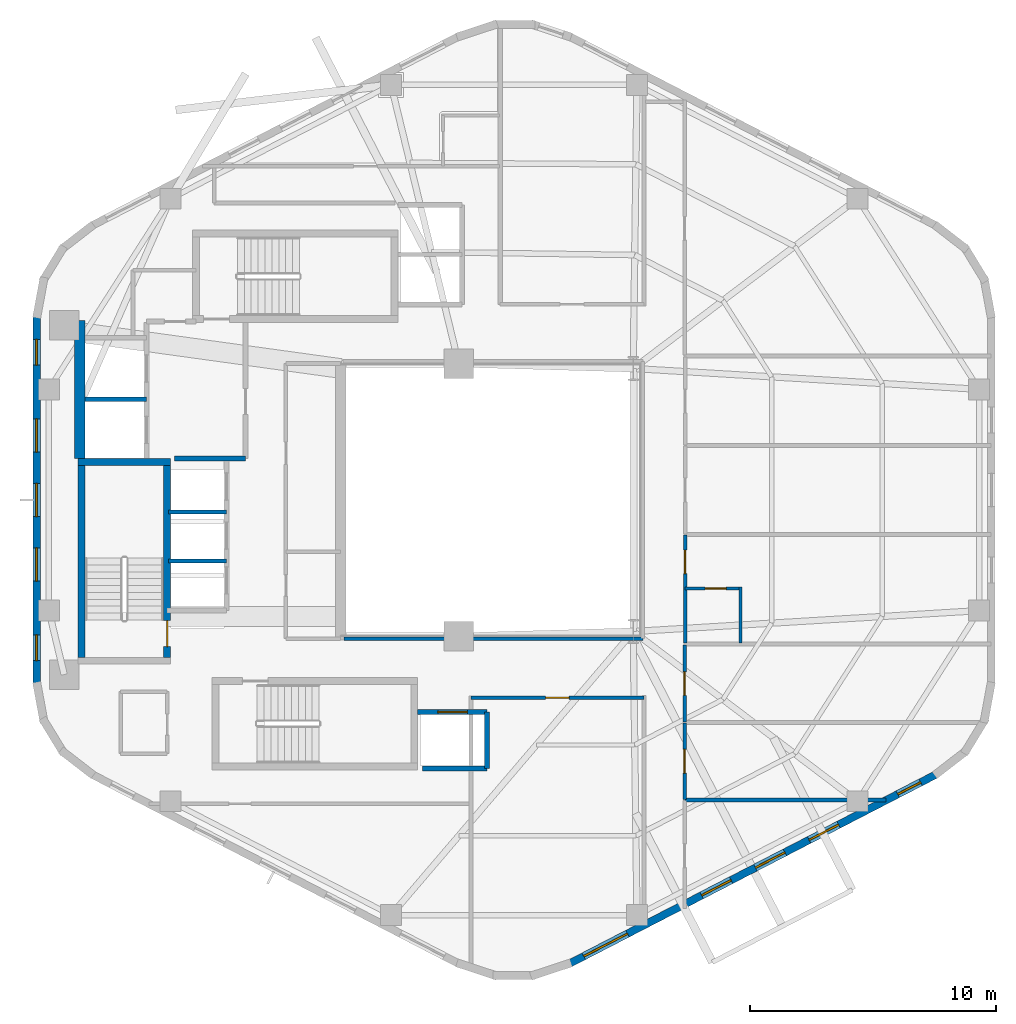
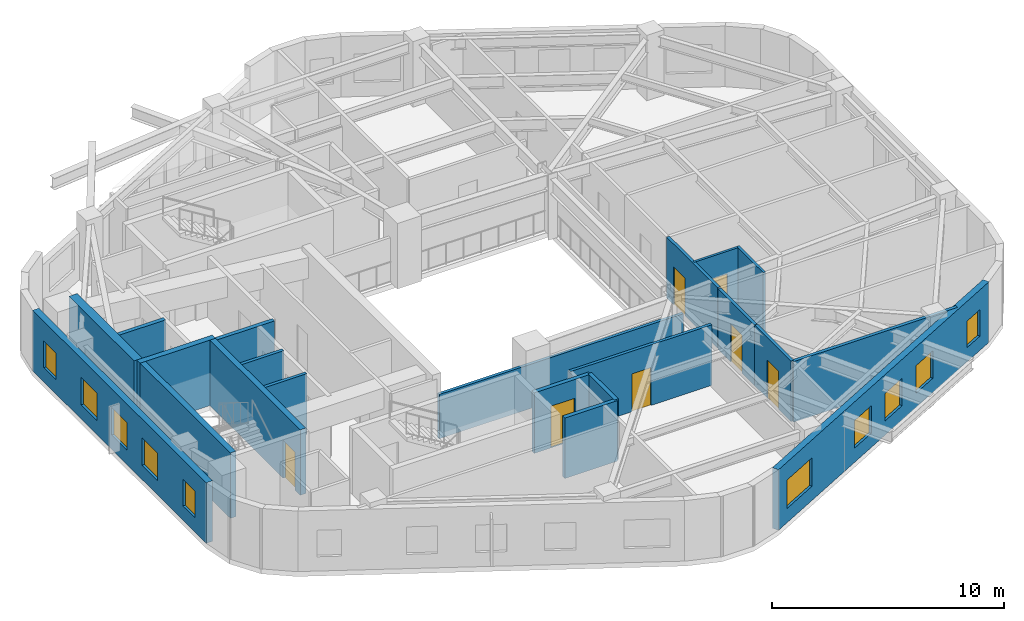
# One storey, part 3 of 7: 21 walls, 10 windows, 7 doors, 17 openings.
"""IFC4 building model written with IfcOpenShell, lengths in metres."""

from ifc_helpers import new_model, si_unit, direction, frame, frame_2d, origin, place, context, subcontext, project, spatial, rectangle, extrude, material, layer, layer_set, type_object, element, fill, save


model = new_model("IFC4")

# Units and contexts
model_context = context("Model", 3, precision=1e-05, world=origin(), true_north=direction((0.0, 1.0)))
body_context = subcontext(model_context, "Body", "Model", "MODEL_VIEW")
ifc_project = project(units=[si_unit("LENGTHUNIT", "METRE"), si_unit("AREAUNIT", "SQUARE_METRE"), si_unit("VOLUMEUNIT", "CUBIC_METRE"), si_unit("PLANEANGLEUNIT", "RADIAN"), si_unit("MASSUNIT", "GRAM", prefix="KILO"), si_unit("THERMODYNAMICTEMPERATUREUNIT", "KELVIN"), si_unit("POWERUNIT", "WATT")], contexts=[model_context])

# Site, building, storey
site_placement = place(None, origin())
site = spatial("IfcSite", under=ifc_project, at=site_placement, CompositionType="ELEMENT")
building_placement = place(site_placement, origin())
building = spatial("IfcBuilding", under=site, at=building_placement, Name="Skarre Station Tower", CompositionType="ELEMENT")
storey_placement = place(building_placement, frame((0.0, 0.0, 199.89990234375)))
storey = spatial("IfcBuildingStorey", under=building, at=storey_placement, Name="L54", CompositionType="ELEMENT", Elevation=199.89990234375)

# Wall
ifc_material_1 = material(Name="Acoustic Steel-Stud Gypsum Partition", Category="steel")
ifc_layer_1 = layer(ifc_material_1, 0.14990234375, Name="Acoustic Steel-Stud Gypsum Partition")
ifc_layer_set_1 = layer_set([ifc_layer_1], Name="Acoustic Steel-Stud Gypsum Partition")
wall_type_1 = type_object("IfcWallType", Name="Fire-Rated Corridor Acoustic Partition 150", PredefinedType="PARTITIONING", material=ifc_layer_set_1)
wall_1_placement = place(storey_placement, frame((27.675048828125, 18.360107421875, 0.0), z_axis=(0.0, 0.0, 1.0), x_axis=(1.0, 0.0, 0.0)))
element("IfcWall", 1, at=wall_1_placement, inside=storey, type_object=wall_type_1, Name="L54 Interior Partition WL-PT-L54-ATRW-S", PredefinedType="PARTITIONING", context=body_context, shape_type="SweptSolid", body=[
    extrude(rectangle(XDim=12.1650390625, YDim=0.14990234375, at=frame_2d((6.08251953125, 0.0))), origin(), (0.0, 0.0, 1.0), 2.3310546875),
])

# Wall, opening, door
wall_2_placement = place(storey_placement, frame((41.56005859375, 18.179931640625, 0.0), z_axis=(0.0, 0.0, 1.0), x_axis=(0.0, 1.0, 0.0)))
wall_2 = element("IfcWall", 2, at=wall_2_placement, inside=storey, type_object=wall_type_1, Name="L54 Interior Partition WL-PT-L54-EW1-CW", PredefinedType="PARTITIONING", context=body_context, shape_type="SweptSolid", body=[
    extrude(rectangle(XDim=4.405029296875, YDim=0.14990234375, at=frame_2d((2.20263671875, 0.0))), origin(), (0.0, 0.0, 1.0), 3.190185546875),
])
opening_1_placement = place(wall_2_placement, frame((2.822998046875, 0.0, 0.0)))
opening_1 = element("IfcOpeningElement", 3, at=opening_1_placement, cuts=wall_2, Name="Opening DR-FD60", PredefinedType="OPENING", context=body_context, shape_type="SweptSolid", body=[
    extrude(rectangle(XDim=0.9599609375, YDim=2.0, at=frame_2d((0.47998046875, 1.0))), frame((0.0, 0.0849609375, 0.0), z_axis=(0.0, -1.0, 0.0), x_axis=(1.0, 0.0, 0.0)), (0.0, 0.0, 1.0), 0.169921875),
])
ifc_material_2 = material(Name="Nordic White-Oak Veneer Solid-Core Fire Leaf", Category="wood")
door_type_1 = type_object("IfcDoorType", Name="Corridor Suite Entry Fire Door FD60 960x2150", OperationType="SINGLE_SWING_LEFT", PredefinedType="DOOR", material=ifc_material_2)
door_1_placement = place(opening_1_placement, origin())
door_1 = element("IfcDoor", 4, at=door_1_placement, inside=storey, type_object=door_type_1, Name="L54 EW1 Entry Door", OperationType="SINGLE_SWING_LEFT", OverallHeight=2.0, OverallWidth=0.9599609375, PredefinedType="DOOR", context=body_context, shape_type="SweptSolid", body=[
    extrude(rectangle(XDim=0.9599609375, YDim=2.0, at=frame_2d((0.47998046875, 1.0))), frame((0.0, 0.02490234375, 0.0), z_axis=(0.0, -1.0, 0.0), x_axis=(1.0, 0.0, 0.0)), (0.0, 0.0, 1.0), 0.050048828125),
])
fill(opening_1, door_1)

wall_3_placement = place(storey_placement, frame((32.85009765625, 15.9599609375, 0.0), z_axis=(0.0, 0.0, 1.0), x_axis=(1.0, 0.0, 0.0)))
wall_3 = element("IfcWall", 5, at=wall_3_placement, inside=storey, type_object=wall_type_1, Name="L54 Interior Partition WL-PT-L54-SWC1-CW", PredefinedType="PARTITIONING", context=body_context, shape_type="SweptSolid", body=[
    extrude(rectangle(XDim=7.02978515625, YDim=0.14990234375, at=frame_2d((3.514892578125, 0.0))), origin(), (0.0, 0.0, 1.0), 3.190185546875),
])
opening_2_placement = place(wall_3_placement, frame((3.034912109375, 0.0, 0.0)))
opening_2 = element("IfcOpeningElement", 6, at=opening_2_placement, cuts=wall_3, Name="Opening DR-FD60", PredefinedType="OPENING", context=body_context, shape_type="SweptSolid", body=[
    extrude(rectangle(XDim=0.9599609375, YDim=2.0, at=frame_2d((0.47998046875, 1.0))), frame((0.0, 0.0849609375, 0.0), z_axis=(0.0, -1.0, 0.0), x_axis=(1.0, 0.0, 0.0)), (0.0, 0.0, 1.0), 0.169921875),
])
door_2_placement = place(opening_2_placement, origin())
door_2 = element("IfcDoor", 7, at=door_2_placement, inside=storey, type_object=door_type_1, Name="L54 SWC1 Entry Door", OperationType="SINGLE_SWING_LEFT", OverallHeight=2.0, OverallWidth=0.9599609375, PredefinedType="DOOR", context=body_context, shape_type="SweptSolid", body=[
    extrude(rectangle(XDim=0.9599609375, YDim=2.0, at=frame_2d((0.47998046875, 1.0))), frame((0.0, 0.02490234375, 0.0), z_axis=(0.0, -1.0, 0.0), x_axis=(1.0, 0.0, 0.0)), (0.0, 0.0, 1.0), 0.050048828125),
])
fill(opening_2, door_2)

wall_4_placement = place(storey_placement, frame((41.5400390625, 11.81201171875, 0.0), z_axis=(0.0, 0.0, 1.0), x_axis=(0.0, 1.0, 0.0)))
wall_4 = element("IfcWall", 8, at=wall_4_placement, inside=storey, type_object=wall_type_1, Name="L54 Interior Partition WL-PT-L54-SW2-CW", PredefinedType="PARTITIONING", context=body_context, shape_type="SweptSolid", body=[
    extrude(rectangle(XDim=3.119873046875, YDim=0.14990234375, at=frame_2d((1.56005859375, 0.0))), origin(), (0.0, 0.0, 1.0), 3.190185546875),
])
opening_3_placement = place(wall_4_placement, frame((1.080078125, 0.0, 0.0)))
opening_3 = element("IfcOpeningElement", 9, at=opening_3_placement, cuts=wall_4, Name="Opening DR-FD60", PredefinedType="OPENING", context=body_context, shape_type="SweptSolid", body=[
    extrude(rectangle(XDim=0.9599609375, YDim=2.0, at=frame_2d((0.47998046875, 1.0))), frame((0.0, 0.0849609375, 0.0), z_axis=(0.0, -1.0, 0.0), x_axis=(1.0, 0.0, 0.0)), (0.0, 0.0, 1.0), 0.169921875),
])
door_3_placement = place(opening_3_placement, origin())
door_3 = element("IfcDoor", 10, at=door_3_placement, inside=storey, type_object=door_type_1, Name="L54 SW2 Entry Door", OperationType="SINGLE_SWING_LEFT", OverallHeight=2.0, OverallWidth=0.9599609375, PredefinedType="DOOR", context=body_context, shape_type="SweptSolid", body=[
    extrude(rectangle(XDim=0.9599609375, YDim=2.0, at=frame_2d((0.47998046875, 1.0))), frame((0.0, 0.02490234375, 0.0), z_axis=(0.0, -1.0, 0.0), x_axis=(1.0, 0.0, 0.0)), (0.0, 0.0, 1.0), 0.050048828125),
])
fill(opening_3, door_3)

wall_5_placement = place(storey_placement, frame((41.5400390625, 14.964111328125, 0.0), z_axis=(0.0, 0.0, 1.0), x_axis=(0.0, 1.0, 0.0)))
wall_5 = element("IfcWall", 11, at=wall_5_placement, inside=storey, type_object=wall_type_1, Name="L54 Interior Partition WL-PT-L54-SW3-CW", PredefinedType="PARTITIONING", context=body_context, shape_type="SweptSolid", body=[
    extrude(rectangle(XDim=3.135986328125, YDim=0.14990234375, at=frame_2d((1.56787109375, 0.0))), origin(), (0.0, 0.0, 1.0), 3.190185546875),
])
opening_4_placement = place(wall_5_placement, frame((1.087890625, 0.0, 0.0)))
opening_4 = element("IfcOpeningElement", 12, at=opening_4_placement, cuts=wall_5, Name="Opening DR-FD60", PredefinedType="OPENING", context=body_context, shape_type="SweptSolid", body=[
    extrude(rectangle(XDim=0.9599609375, YDim=2.0, at=frame_2d((0.47998046875, 1.0))), frame((0.0, 0.0849609375, 0.0), z_axis=(0.0, -1.0, 0.0), x_axis=(1.0, 0.0, 0.0)), (0.0, 0.0, 1.0), 0.169921875),
])
door_4_placement = place(opening_4_placement, origin())
door_4 = element("IfcDoor", 13, at=door_4_placement, inside=storey, type_object=door_type_1, Name="L54 SW3 Entry Door", OperationType="SINGLE_SWING_LEFT", OverallHeight=2.0, OverallWidth=0.9599609375, PredefinedType="DOOR", context=body_context, shape_type="SweptSolid", body=[
    extrude(rectangle(XDim=0.9599609375, YDim=2.0, at=frame_2d((0.47998046875, 1.0))), frame((0.0, 0.02490234375, 0.0), z_axis=(0.0, -1.0, 0.0), x_axis=(1.0, 0.0, 0.0)), (0.0, 0.0, 1.0), 0.050048828125),
])
fill(opening_4, door_4)

# Wall
ifc_material_3 = material(Name="Insulated Timber-Stud Gypsum Partition", Category="wood")
ifc_layer_2 = layer(ifc_material_3, 0.1201171875, Name="Insulated Timber-Stud Gypsum Partition")
ifc_layer_set_2 = layer_set([ifc_layer_2], Name="Insulated Timber-Stud Gypsum Partition")
wall_type_2 = type_object("IfcWallType", Name="Internal Suite Acoustic Partition 120", PredefinedType="PARTITIONING", material=ifc_layer_set_2)
wall_6_placement = place(storey_placement, frame((43.820068359375, 18.179931640625, 0.0), z_axis=(0.0, 0.0, 1.0), x_axis=(0.0, 1.0, 0.0)))
element("IfcWall", 14, at=wall_6_placement, inside=storey, type_object=wall_type_2, Name="L54 Interior Partition WL-PT-L54-EW1-EW2", PredefinedType="PARTITIONING", context=body_context, shape_type="SweptSolid", body=[
    extrude(rectangle(XDim=2.280029296875, YDim=0.1201171875, at=frame_2d((1.14013671875, 0.0))), origin(), (0.0, 0.0, 1.0), 3.190185546875),
])

# Wall, opening, door
wall_7_placement = place(storey_placement, frame((43.8798828125, 20.39990234375, 0.0), z_axis=(0.0, 0.0, 1.0), x_axis=(-1.0, 0.0, 0.0)))
wall_7 = element("IfcWall", 15, at=wall_7_placement, inside=storey, type_object=wall_type_2, Name="L54 Interior Partition WL-PT-L54-EW1-EW3", PredefinedType="PARTITIONING", context=body_context, shape_type="SweptSolid", body=[
    extrude(rectangle(XDim=2.31982421875, YDim=0.1201171875, at=frame_2d((1.159912109375, 0.0))), origin(), (0.0, 0.0, 1.0), 3.190185546875),
])
opening_5_placement = place(wall_7_placement, frame((0.64990234375, 0.0, 0.0)))
opening_5 = element("IfcOpeningElement", 16, at=opening_5_placement, cuts=wall_7, Name="Opening DR-INT86", PredefinedType="OPENING", context=body_context, shape_type="SweptSolid", body=[
    extrude(rectangle(XDim=0.860107421875, YDim=2.0, at=frame_2d((0.43017578125, 1.0))), frame((0.0, 0.070068359375, 0.0), z_axis=(0.0, -1.0, 0.0), x_axis=(1.0, 0.0, 0.0)), (0.0, 0.0, 1.0), 0.14013671875),
])
ifc_material_4 = material(Name="Nordic Birch Acoustic Solid-Core Timber Leaf", Category="wood")
door_type_2 = type_object("IfcDoorType", Name="Internal En-Suite & Bedroom Door 860x2100", OperationType="SINGLE_SWING_LEFT", PredefinedType="DOOR", material=ifc_material_4)
door_5_placement = place(opening_5_placement, origin())
door_5 = element("IfcDoor", 17, at=door_5_placement, inside=storey, type_object=door_type_2, Name="L54 EW1 En-suite Door", OperationType="SINGLE_SWING_RIGHT", OverallHeight=2.0, OverallWidth=0.860107421875, PredefinedType="DOOR", context=body_context, shape_type="SweptSolid", body=[
    extrude(rectangle(XDim=0.860107421875, YDim=2.0, at=frame_2d((0.43017578125, 1.0))), frame((0.0, 0.02490234375, 0.0), z_axis=(0.0, -1.0, 0.0), x_axis=(1.0, 0.0, 0.0)), (0.0, 0.0, 1.0), 0.050048828125),
])
fill(opening_5, door_5)

# Wall, openings, windows
ifc_material_5 = material(Name="Precast concrete C45/55", Category="concrete")
ifc_layer_3 = layer(ifc_material_5, 0.31005859375, Name="Precast concrete C45/55")
ifc_layer_set_3 = layer_set([ifc_layer_3], Name="Precast concrete C45/55")
wall_type_3 = type_object("IfcWallType", Name="Nordic Upper-Zone Precast Facet Wall 310", PredefinedType="STANDARD", material=ifc_layer_set_3)
wall_8_placement = place(storey_placement, frame((15.18310546875, 16.498046875, 0.0), z_axis=(0.0, 0.0, 1.0), x_axis=(0.0, 1.0, 0.0)))
wall_8 = element("IfcWall", 18, at=wall_8_placement, inside=storey, type_object=wall_type_3, Name="L54 Facet 2 Nordic Precast Masonry Wall", PredefinedType="STANDARD", context=body_context, shape_type="SweptSolid", body=[
    extrude(rectangle(XDim=15.00390625, YDim=0.31005859375, at=frame_2d((7.501953125, 0.0))), origin(), (0.0, 0.0, 1.0), 3.190185546875),
])
opening_6_placement = place(wall_8_placement, frame((0.968017578125, 0.0, 0.75)))
opening_6 = element("IfcOpeningElement", 19, at=opening_6_placement, cuts=wall_8, Name="Opening WN-SLT", PredefinedType="OPENING", context=body_context, shape_type="SweptSolid", body=[
    extrude(rectangle(XDim=1.050048828125, YDim=1.39990234375, at=frame_2d((0.52490234375, 0.699951171875))), frame((0.0, 0.1650390625, 0.0), z_axis=(0.0, -1.0, 0.0), x_axis=(1.0, 0.0, 0.0)), (0.0, 0.0, 1.0), 0.330078125),
])
opening_7_placement = place(wall_8_placement, frame((4.202880859375, 0.0, 0.75)))
opening_7 = element("IfcOpeningElement", 20, at=opening_7_placement, cuts=wall_8, Name="Opening WN-Z3B", PredefinedType="OPENING", context=body_context, shape_type="SweptSolid", body=[
    extrude(rectangle(XDim=1.35009765625, YDim=1.449951171875, at=frame_2d((0.675048828125, 0.72509765625))), frame((0.0, 0.1650390625, 0.0), z_axis=(0.0, -1.0, 0.0), x_axis=(1.0, 0.0, 0.0)), (0.0, 0.0, 1.0), 0.330078125),
])
opening_8_placement = place(wall_8_placement, frame((6.826904296875, 0.0, 0.75)))
opening_8 = element("IfcOpeningElement", 21, at=opening_8_placement, cuts=wall_8, Name="Opening WN-Z3B", PredefinedType="OPENING", context=body_context, shape_type="SweptSolid", body=[
    extrude(rectangle(XDim=1.35009765625, YDim=1.449951171875, at=frame_2d((0.675048828125, 0.72509765625))), frame((0.0, 0.1650390625, 0.0), z_axis=(0.0, -1.0, 0.0), x_axis=(1.0, 0.0, 0.0)), (0.0, 0.0, 1.0), 0.330078125),
])
opening_9_placement = place(wall_8_placement, frame((9.450927734375, 0.0, 0.75)))
opening_9 = element("IfcOpeningElement", 22, at=opening_9_placement, cuts=wall_8, Name="Opening WN-Z3B", PredefinedType="OPENING", context=body_context, shape_type="SweptSolid", body=[
    extrude(rectangle(XDim=1.35009765625, YDim=1.449951171875, at=frame_2d((0.675048828125, 0.72509765625))), frame((0.0, 0.1650390625, 0.0), z_axis=(0.0, -1.0, 0.0), x_axis=(1.0, 0.0, 0.0)), (0.0, 0.0, 1.0), 0.330078125),
])
opening_10_placement = place(wall_8_placement, frame((12.986083984375, 0.0, 0.75)))
opening_10 = element("IfcOpeningElement", 23, at=opening_10_placement, cuts=wall_8, Name="Opening WN-SLT", PredefinedType="OPENING", context=body_context, shape_type="SweptSolid", body=[
    extrude(rectangle(XDim=1.050048828125, YDim=1.39990234375, at=frame_2d((0.52490234375, 0.699951171875))), frame((0.0, 0.1650390625, 0.0), z_axis=(0.0, -1.0, 0.0), x_axis=(1.0, 0.0, 0.0)), (0.0, 0.0, 1.0), 0.330078125),
])
ifc_material_6 = material(Name="Low-Iron Triple Glazing with Bronze Anodized Frame", Category="glass")
window_type_1 = type_object("IfcWindowType", Name="Nordic Corner Slot Window 1050x1400", PartitioningType="SINGLE_PANEL", PredefinedType="WINDOW", material=ifc_material_6)
window_1_placement = place(opening_6_placement, origin())
window_1 = element("IfcWindow", 24, at=window_1_placement, inside=storey, type_object=window_type_1, Name="L54 Facade Window WL-FAC-L54-F2-1", OverallHeight=1.39990234375, OverallWidth=1.050048828125, PartitioningType="SINGLE_PANEL", PredefinedType="WINDOW", context=body_context, shape_type="SweptSolid", body=[
    extrude(rectangle(XDim=1.050048828125, YDim=1.39990234375, at=frame_2d((0.52490234375, 0.699951171875))), frame((0.0, 0.030029296875, 0.0), z_axis=(0.0, -1.0, 0.0), x_axis=(1.0, 0.0, 0.0)), (0.0, 0.0, 1.0), 0.06005859375),
])
fill(opening_6, window_1)
window_2_placement = place(opening_10_placement, origin())
window_2 = element("IfcWindow", 25, at=window_2_placement, inside=storey, type_object=window_type_1, Name="L54 Facade Window WL-FAC-L54-F2-5", OverallHeight=1.39990234375, OverallWidth=1.050048828125, PartitioningType="SINGLE_PANEL", PredefinedType="WINDOW", context=body_context, shape_type="SweptSolid", body=[
    extrude(rectangle(XDim=1.050048828125, YDim=1.39990234375, at=frame_2d((0.52490234375, 0.699951171875))), frame((0.0, 0.030029296875, 0.0), z_axis=(0.0, -1.0, 0.0), x_axis=(1.0, 0.0, 0.0)), (0.0, 0.0, 1.0), 0.06005859375),
])
fill(opening_10, window_2)
window_type_2 = type_object("IfcWindowType", Name="Nordic Hospitality Narrow Window 1350x1450", PartitioningType="SINGLE_PANEL", PredefinedType="WINDOW", material=ifc_material_6)
window_3_placement = place(opening_7_placement, origin())
window_3 = element("IfcWindow", 26, at=window_3_placement, inside=storey, type_object=window_type_2, Name="L54 Facade Window WL-FAC-L54-F2-2", OverallHeight=1.449951171875, OverallWidth=1.35009765625, PartitioningType="SINGLE_PANEL", PredefinedType="WINDOW", context=body_context, shape_type="SweptSolid", body=[
    extrude(rectangle(XDim=1.35009765625, YDim=1.449951171875, at=frame_2d((0.675048828125, 0.72509765625))), frame((0.0, 0.030029296875, 0.0), z_axis=(0.0, -1.0, 0.0), x_axis=(1.0, 0.0, 0.0)), (0.0, 0.0, 1.0), 0.06005859375),
])
fill(opening_7, window_3)
window_4_placement = place(opening_8_placement, origin())
window_4 = element("IfcWindow", 27, at=window_4_placement, inside=storey, type_object=window_type_2, Name="L54 Facade Window WL-FAC-L54-F2-3", OverallHeight=1.449951171875, OverallWidth=1.35009765625, PartitioningType="SINGLE_PANEL", PredefinedType="WINDOW", context=body_context, shape_type="SweptSolid", body=[
    extrude(rectangle(XDim=1.35009765625, YDim=1.449951171875, at=frame_2d((0.675048828125, 0.72509765625))), frame((0.0, 0.030029296875, 0.0), z_axis=(0.0, -1.0, 0.0), x_axis=(1.0, 0.0, 0.0)), (0.0, 0.0, 1.0), 0.06005859375),
])
fill(opening_8, window_4)
window_5_placement = place(opening_9_placement, origin())
window_5 = element("IfcWindow", 28, at=window_5_placement, inside=storey, type_object=window_type_2, Name="L54 Facade Window WL-FAC-L54-F2-4", OverallHeight=1.449951171875, OverallWidth=1.35009765625, PartitioningType="SINGLE_PANEL", PredefinedType="WINDOW", context=body_context, shape_type="SweptSolid", body=[
    extrude(rectangle(XDim=1.35009765625, YDim=1.449951171875, at=frame_2d((0.675048828125, 0.72509765625))), frame((0.0, 0.030029296875, 0.0), z_axis=(0.0, -1.0, 0.0), x_axis=(1.0, 0.0, 0.0)), (0.0, 0.0, 1.0), 0.06005859375),
])
fill(opening_9, window_5)

wall_9_placement = place(storey_placement, frame((51.7919921875, 12.846923828125, 0.0), z_axis=(0.0, 0.0, 1.0), x_axis=(-0.888626188278, -0.458632202867, 0.0)))
wall_9 = element("IfcWall", 29, at=wall_9_placement, inside=storey, type_object=wall_type_3, Name="L54 Facet 4 Nordic Precast Masonry Wall", PredefinedType="STANDARD", context=body_context, shape_type="SweptSolid", body=[
    extrude(rectangle(XDim=16.828369140625, YDim=0.31005859375, at=frame_2d((8.4140625, 0.0))), origin(), (0.0, 0.0, 1.0), 3.190185546875),
])
opening_11_placement = place(wall_9_placement, frame((0.72900390625, 0.0, 0.75)))
opening_11 = element("IfcOpeningElement", 30, at=opening_11_placement, cuts=wall_9, Name="Opening WN-SLT", PredefinedType="OPENING", context=body_context, shape_type="SweptSolid", body=[
    extrude(rectangle(XDim=1.050048828125, YDim=1.39990234375, at=frame_2d((0.52490234375, 0.699951171875))), frame((0.0, 0.1650390625, 0.0), z_axis=(0.0, -1.0, 0.0), x_axis=(1.0, 0.0, 0.0)), (0.0, 0.0, 1.0), 0.330078125),
])
opening_12_placement = place(wall_9_placement, frame((4.486083984375, 0.0, 0.75)))
opening_12 = element("IfcOpeningElement", 31, at=opening_12_placement, cuts=wall_9, Name="Opening WN-Z3B", PredefinedType="OPENING", context=body_context, shape_type="SweptSolid", body=[
    extrude(rectangle(XDim=1.35009765625, YDim=1.449951171875, at=frame_2d((0.675048828125, 0.72509765625))), frame((0.0, 0.1650390625, 0.0), z_axis=(0.0, -1.0, 0.0), x_axis=(1.0, 0.0, 0.0)), (0.0, 0.0, 1.0), 0.330078125),
])
opening_13_placement = place(wall_9_placement, frame((6.946044921875, 0.0, 0.75)))
opening_13 = element("IfcOpeningElement", 32, at=opening_13_placement, cuts=wall_9, Name="Opening WN-Z3B", PredefinedType="OPENING", context=body_context, shape_type="SweptSolid", body=[
    extrude(rectangle(XDim=1.35009765625, YDim=1.449951171875, at=frame_2d((0.675048828125, 0.72509765625))), frame((0.0, 0.1650390625, 0.0), z_axis=(0.0, -1.0, 0.0), x_axis=(1.0, 0.0, 0.0)), (0.0, 0.0, 1.0), 0.330078125),
])
opening_14_placement = place(wall_9_placement, frame((9.406005859375, 0.0, 0.75)))
opening_14 = element("IfcOpeningElement", 33, at=opening_14_placement, cuts=wall_9, Name="Opening WN-Z3B", PredefinedType="OPENING", context=body_context, shape_type="SweptSolid", body=[
    extrude(rectangle(XDim=1.35009765625, YDim=1.449951171875, at=frame_2d((0.675048828125, 0.72509765625))), frame((0.0, 0.1650390625, 0.0), z_axis=(0.0, -1.0, 0.0), x_axis=(1.0, 0.0, 0.0)), (0.0, 0.0, 1.0), 0.330078125),
])
opening_15_placement = place(wall_9_placement, frame((14.153076171875, 0.0, 0.75)))
opening_15 = element("IfcOpeningElement", 34, at=opening_15_placement, cuts=wall_9, Name="Opening WN-Z3A", PredefinedType="OPENING", context=body_context, shape_type="SweptSolid", body=[
    extrude(rectangle(XDim=2.0, YDim=1.5, at=frame_2d((1.0, 0.75))), frame((0.0, 0.1650390625, 0.0), z_axis=(0.0, -1.0, 0.0), x_axis=(1.0, 0.0, 0.0)), (0.0, 0.0, 1.0), 0.330078125),
])
window_6_placement = place(opening_11_placement, origin())
window_6 = element("IfcWindow", 35, at=window_6_placement, inside=storey, type_object=window_type_1, Name="L54 Facade Window WL-FAC-L54-F4-1", OverallHeight=1.39990234375, OverallWidth=1.050048828125, PartitioningType="SINGLE_PANEL", PredefinedType="WINDOW", context=body_context, shape_type="SweptSolid", body=[
    extrude(rectangle(XDim=1.050048828125, YDim=1.39990234375, at=frame_2d((0.52490234375, 0.699951171875))), frame((0.0, 0.030029296875, 0.0), z_axis=(0.0, -1.0, 0.0), x_axis=(1.0, 0.0, 0.0)), (0.0, 0.0, 1.0), 0.06005859375),
])
fill(opening_11, window_6)
window_7_placement = place(opening_12_placement, origin())
window_7 = element("IfcWindow", 36, at=window_7_placement, inside=storey, type_object=window_type_2, Name="L54 Facade Window WL-FAC-L54-F4-2", OverallHeight=1.449951171875, OverallWidth=1.35009765625, PartitioningType="SINGLE_PANEL", PredefinedType="WINDOW", context=body_context, shape_type="SweptSolid", body=[
    extrude(rectangle(XDim=1.35009765625, YDim=1.449951171875, at=frame_2d((0.675048828125, 0.72509765625))), frame((0.0, 0.030029296875, 0.0), z_axis=(0.0, -1.0, 0.0), x_axis=(1.0, 0.0, 0.0)), (0.0, 0.0, 1.0), 0.06005859375),
])
fill(opening_12, window_7)
window_8_placement = place(opening_13_placement, origin())
window_8 = element("IfcWindow", 37, at=window_8_placement, inside=storey, type_object=window_type_2, Name="L54 Facade Window WL-FAC-L54-F4-3", OverallHeight=1.449951171875, OverallWidth=1.35009765625, PartitioningType="SINGLE_PANEL", PredefinedType="WINDOW", context=body_context, shape_type="SweptSolid", body=[
    extrude(rectangle(XDim=1.35009765625, YDim=1.449951171875, at=frame_2d((0.675048828125, 0.72509765625))), frame((0.0, 0.030029296875, 0.0), z_axis=(0.0, -1.0, 0.0), x_axis=(1.0, 0.0, 0.0)), (0.0, 0.0, 1.0), 0.06005859375),
])
fill(opening_13, window_8)
window_9_placement = place(opening_14_placement, origin())
window_9 = element("IfcWindow", 38, at=window_9_placement, inside=storey, type_object=window_type_2, Name="L54 Facade Window WL-FAC-L54-F4-4", OverallHeight=1.449951171875, OverallWidth=1.35009765625, PartitioningType="SINGLE_PANEL", PredefinedType="WINDOW", context=body_context, shape_type="SweptSolid", body=[
    extrude(rectangle(XDim=1.35009765625, YDim=1.449951171875, at=frame_2d((0.675048828125, 0.72509765625))), frame((0.0, 0.030029296875, 0.0), z_axis=(0.0, -1.0, 0.0), x_axis=(1.0, 0.0, 0.0)), (0.0, 0.0, 1.0), 0.06005859375),
])
fill(opening_14, window_9)
window_type_3 = type_object("IfcWindowType", Name="Nordic Hospitality Window 2000x1500", PartitioningType="SINGLE_PANEL", PredefinedType="WINDOW", material=ifc_material_6)
window_10_placement = place(opening_15_placement, origin())
window_10 = element("IfcWindow", 39, at=window_10_placement, inside=storey, type_object=window_type_3, Name="L54 Facade Window WL-FAC-L54-F4-5", OverallHeight=1.5, OverallWidth=2.0, PartitioningType="SINGLE_PANEL", PredefinedType="WINDOW", context=body_context, shape_type="SweptSolid", body=[
    extrude(rectangle(XDim=2.0, YDim=1.5, at=frame_2d((1.0, 0.75))), frame((0.0, 0.030029296875, 0.0), z_axis=(0.0, -1.0, 0.0), x_axis=(1.0, 0.0, 0.0)), (0.0, 0.0, 1.0), 0.06005859375),
])
fill(opening_15, window_10)

# Walls
ifc_material_7 = material(Name="Concrete C50/60", Category="concrete")
ifc_layer_4 = layer(ifc_material_7, 0.280029296875, Name="Concrete C50/60")
ifc_layer_set_4 = layer_set([ifc_layer_4], Name="Concrete C50/60")
wall_type_4 = type_object("IfcWallType", Name="RC Core Shear Wall 280", PredefinedType="SHEAR", material=ifc_layer_set_4)
wall_10_placement = place(storey_placement, frame((20.6298828125, 25.5400390625, 0.0), z_axis=(0.0, 0.0, 1.0), x_axis=(-1.0, 0.0, 0.0)))
element("IfcWall", 40, at=wall_10_placement, inside=storey, type_object=wall_type_4, Name="L54 Stair ST-1 North Shear Wall", PredefinedType="SHEAR", context=body_context, shape_type="SweptSolid", body=[
    extrude(rectangle(XDim=3.759765625, YDim=0.280029296875, at=frame_2d((1.8798828125, 0.0))), origin(), (0.0, 0.0, 1.0), 3.4501953125),
])
wall_11_placement = place(storey_placement, frame((17.010009765625, 25.39990234375, 0.0), z_axis=(0.0, 0.0, 1.0), x_axis=(0.0, -1.0, 0.0)))
element("IfcWall", 41, at=wall_11_placement, inside=storey, type_object=wall_type_4, Name="L54 Stair ST-1 West Shear Wall", PredefinedType="SHEAR", context=body_context, shape_type="SweptSolid", body=[
    extrude(rectangle(XDim=7.7998046875, YDim=0.280029296875, at=frame_2d((3.89990234375, 0.0))), origin(), (0.0, 0.0, 1.0), 3.4501953125),
])

# Wall, opening, door
wall_12_placement = place(storey_placement, frame((20.489990234375, 17.60009765625, 0.0), z_axis=(0.0, 0.0, 1.0), x_axis=(0.0, 1.0, 0.0)))
wall_12 = element("IfcWall", 42, at=wall_12_placement, inside=storey, type_object=wall_type_4, Name="L54 Stair ST-1 East Shear Wall", PredefinedType="SHEAR", context=body_context, shape_type="SweptSolid", body=[
    extrude(rectangle(XDim=7.7998046875, YDim=0.280029296875, at=frame_2d((3.89990234375, 0.0))), origin(), (0.0, 0.0, 1.0), 3.4501953125),
])
opening_16_placement = place(wall_12_placement, frame((0.43994140625, 0.0, 0.0)))
opening_16 = element("IfcOpeningElement", 43, at=opening_16_placement, cuts=wall_12, Name="Opening DR-FD90", PredefinedType="OPENING", context=body_context, shape_type="SweptSolid", body=[
    extrude(rectangle(XDim=1.050048828125, YDim=2.0, at=frame_2d((0.52490234375, 1.0))), frame((0.0, 0.14990234375, 0.0), z_axis=(0.0, -1.0, 0.0), x_axis=(1.0, 0.0, 0.0)), (0.0, 0.0, 1.0), 0.300048828125),
])
ifc_material_8 = material(Name="Fire-Rated Insulated Steel Frame & Timber Core Leaf", Category="steel")
door_type_3 = type_object("IfcDoorType", Name="Stair & FSAE Lobby Fire Door FD90 1050x2150", OperationType="SINGLE_SWING_RIGHT", PredefinedType="DOOR", material=ifc_material_8)
door_6_placement = place(opening_16_placement, origin())
door_6 = element("IfcDoor", 44, at=door_6_placement, inside=storey, type_object=door_type_3, Name="L54 Stair ST-1 Exit Door", OperationType="SINGLE_SWING_RIGHT", OverallHeight=2.0, OverallWidth=1.050048828125, PredefinedType="DOOR", context=body_context, shape_type="SweptSolid", body=[
    extrude(rectangle(XDim=1.050048828125, YDim=2.0, at=frame_2d((0.52490234375, 1.0))), frame((0.0, 0.02490234375, 0.0), z_axis=(0.0, -1.0, 0.0), x_axis=(1.0, 0.0, 0.0)), (0.0, 0.0, 1.0), 0.050048828125),
])
fill(opening_16, door_6)

# Walls
ifc_material_9 = material(Name="Concrete C60/75", Category="concrete")
ifc_layer_5 = layer(ifc_material_9, 0.419921875, Name="Concrete C60/75")
ifc_layer_set_5 = layer_set([ifc_layer_5], Name="Concrete C60/75")
wall_type_5 = type_object("IfcWallType", Name="RC Core Shear Wall 420", PredefinedType="SHEAR", material=ifc_layer_set_5)
wall_13_placement = place(storey_placement, frame((16.93994140625, 25.679931640625, 0.0), z_axis=(0.0, 0.0, 1.0), x_axis=(0.0, 1.0, 0.0)))
element("IfcWall", 45, at=wall_13_placement, inside=storey, type_object=wall_type_5, Name="L54 Core West-North Shear Wall", PredefinedType="SHEAR", context=body_context, shape_type="SweptSolid", body=[
    extrude(rectangle(XDim=5.6201171875, YDim=0.419921875, at=frame_2d((2.81005859375, 0.0))), origin(), (0.0, 0.0, 1.0), 3.4501953125),
])
ifc_material_10 = material(Name="Gypsum Concrete Shaft Assembly C30/37", Category="concrete")
ifc_layer_6 = layer(ifc_material_10, 0.199951171875, Name="Gypsum Concrete Shaft Assembly C30/37")
ifc_layer_set_6 = layer_set([ifc_layer_6], Name="Gypsum Concrete Shaft Assembly C30/37")
wall_type_6 = type_object("IfcWallType", Name="Shaft & Core Fire Partition 200", PredefinedType="PARTITIONING", material=ifc_layer_set_6)
wall_14_placement = place(storey_placement, frame((20.79296875, 25.679931640625, 0.0), z_axis=(0.0, 0.0, 1.0), x_axis=(1.0, 0.0, 0.0)))
element("IfcWall", 46, at=wall_14_placement, inside=storey, type_object=wall_type_6, Name="L54 Interior Partition WL-PT-L54-FSAE-S", PredefinedType="PARTITIONING", context=body_context, shape_type="SweptSolid", body=[
    extrude(rectangle(XDim=2.886962890625, YDim=0.199951171875, at=frame_2d((1.443359375, 0.0))), origin(), (0.0, 0.0, 1.0), 3.190185546875),
])
wall_15_placement = place(storey_placement, frame((17.14990234375, 28.10009765625, 0.0), z_axis=(0.0, 0.0, 1.0), x_axis=(1.0, 0.0, 0.0)))
element("IfcWall", 47, at=wall_15_placement, inside=storey, type_object=wall_type_6, Name="L54 Interior Partition WL-PT-L54-FF-DIV", PredefinedType="PARTITIONING", context=body_context, shape_type="SweptSolid", body=[
    extrude(rectangle(XDim=2.5, YDim=0.199951171875, at=frame_2d((1.25, 0.0))), origin(), (0.0, 0.0, 1.0), 3.190185546875),
])

# Wall, opening, door
wall_16_placement = place(storey_placement, frame((33.5, 15.3798828125, 0.0), z_axis=(0.0, 0.0, 1.0), x_axis=(-1.0, 0.0, 0.0)))
wall_16 = element("IfcWall", 48, at=wall_16_placement, inside=storey, type_object=wall_type_6, Name="L54 Interior Partition WL-PT-L54-SV1-N", PredefinedType="PARTITIONING", context=body_context, shape_type="SweptSolid", body=[
    extrude(rectangle(XDim=2.820068359375, YDim=0.199951171875, at=frame_2d((1.41015625, 0.0))), origin(), (0.0, 0.0, 1.0), 3.190185546875),
])
opening_17_placement = place(wall_16_placement, frame((0.800048828125, 0.0, 0.0)))
opening_17 = element("IfcOpeningElement", 49, at=opening_17_placement, cuts=wall_16, Name="Opening LD-SV1", PredefinedType="OPENING", context=body_context, shape_type="SweptSolid", body=[
    extrude(rectangle(XDim=1.199951171875, YDim=2.199951171875, at=frame_2d((0.60009765625, 1.10009765625))), frame((0.0, 0.10986328125, 0.0), z_axis=(0.0, -1.0, 0.0), x_axis=(1.0, 0.0, 0.0)), (0.0, 0.0, 1.0), 0.219970703125),
])
ifc_material_11 = material(Name="Heavy-Gauge Brushed Stainless Steel Sliding Leaves", Category="steel")
door_type_4 = type_object("IfcDoorType", Name="Service Elevator Wide Sliding Landing Door 1200x2200", OperationType="SLIDING_TO_RIGHT", PredefinedType="DOOR", material=ifc_material_11)
door_7_placement = place(opening_17_placement, origin())
door_7 = element("IfcDoor", 50, at=door_7_placement, inside=storey, type_object=door_type_4, Name="L54 Service Lift LF-SV1 Landing Door", OperationType="SLIDING_TO_RIGHT", OverallHeight=2.199951171875, OverallWidth=1.199951171875, PredefinedType="DOOR", context=body_context, shape_type="SweptSolid", body=[
    extrude(rectangle(XDim=1.199951171875, YDim=2.199951171875, at=frame_2d((0.60009765625, 1.10009765625))), frame((0.0, 0.02490234375, 0.0), z_axis=(0.0, -1.0, 0.0), x_axis=(1.0, 0.0, 0.0)), (0.0, 0.0, 1.0), 0.050048828125),
])
fill(opening_17, door_7)

# Walls
wall_17_placement = place(storey_placement, frame((33.5, 13.080078125, 0.0), z_axis=(0.0, 0.0, 1.0), x_axis=(0.0, 1.0, 0.0)))
element("IfcWall", 51, at=wall_17_placement, inside=storey, type_object=wall_type_6, Name="L54 Interior Partition WL-PT-L54-SV1-E", PredefinedType="PARTITIONING", context=body_context, shape_type="SweptSolid", body=[
    extrude(rectangle(XDim=2.2998046875, YDim=0.199951171875, at=frame_2d((1.14990234375, 0.0))), origin(), (0.0, 0.0, 1.0), 3.190185546875),
])
wall_18_placement = place(storey_placement, frame((30.87890625, 13.080078125, 0.0), z_axis=(0.0, 0.0, 1.0), x_axis=(1.0, 0.0, 0.0)))
element("IfcWall", 52, at=wall_18_placement, inside=storey, type_object=wall_type_6, Name="L54 Interior Partition WL-PT-L54-SV1-S", PredefinedType="PARTITIONING", context=body_context, shape_type="SweptSolid", body=[
    extrude(rectangle(XDim=2.62109375, YDim=0.199951171875, at=frame_2d((1.310546875, 0.0))), origin(), (0.0, 0.0, 1.0), 3.190185546875),
])
for number, where, z_axis, x_axis, name in (
    (53, (20.550048828125, 21.52001953125, 0.0), (0.0, 0.0, 1.0), (1.0, 0.0, 0.0), "L54 Interior Partition WL-PT-L54-B3-D1"),
    (54, (20.550048828125, 23.52001953125, 0.0), (0.0, 0.0, 1.0), (1.0, 0.0, 0.0), "L54 Interior Partition WL-PT-L54-B3-D2"),
):
    element("IfcWall", number, at=place(storey_placement, frame(where, z_axis=z_axis, x_axis=x_axis)), inside=storey, type_object=wall_type_6, Name=name, PredefinedType="PARTITIONING", context=body_context, shape_type="SweptSolid", body=[
        extrude(rectangle(XDim=2.349853515625, YDim=0.159912109375, at=frame_2d((1.1748046875, 0.0))), origin(), (0.0, 0.0, 1.0), 3.190185546875),
    ])
ifc_layer_7 = layer(ifc_material_1, 0.1650390625, Name="Acoustic Steel-Stud Gypsum Partition")
ifc_layer_set_7 = layer_set([ifc_layer_7], Name="Acoustic Steel-Stud Gypsum Partition")
wall_type_7 = type_object("IfcWallType", Name="Suite Demising Acoustic Partition 165", PredefinedType="PARTITIONING", material=ifc_layer_set_7)
wall_19_placement = place(storey_placement, frame((41.550048828125, 11.7958984375, 0.0), z_axis=(0.0, 0.0, 1.0), x_axis=(1.0, 0.0, 0.0)))
element("IfcWall", 55, at=wall_19_placement, inside=storey, type_object=wall_type_7, Name="L54 Interior Partition WL-PT-L54-SW-P1", PredefinedType="PARTITIONING", context=body_context, shape_type="SweptSolid", body=[
    extrude(rectangle(XDim=8.1728515625, YDim=0.1650390625, at=frame_2d((4.08642578125, 0.0))), origin(), (0.0, 0.0, 1.0), 3.190185546875),
])

save(model, "model.ifc")
